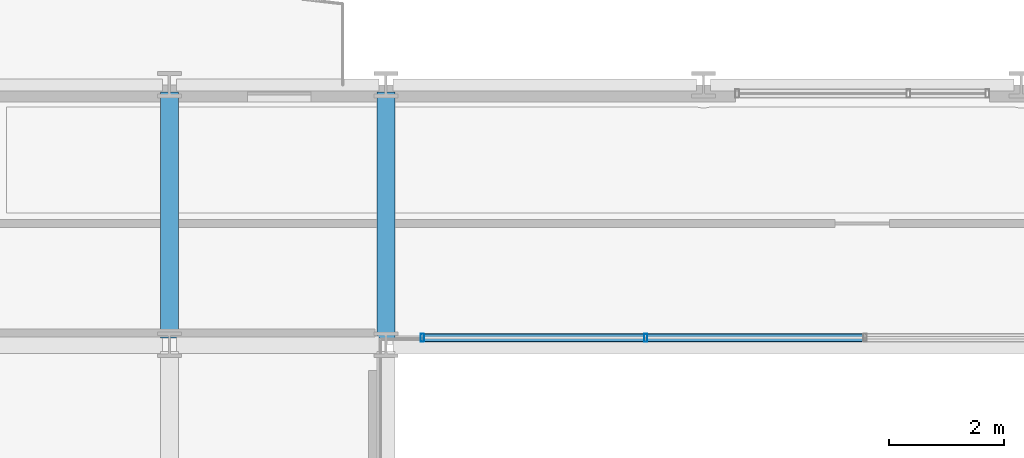
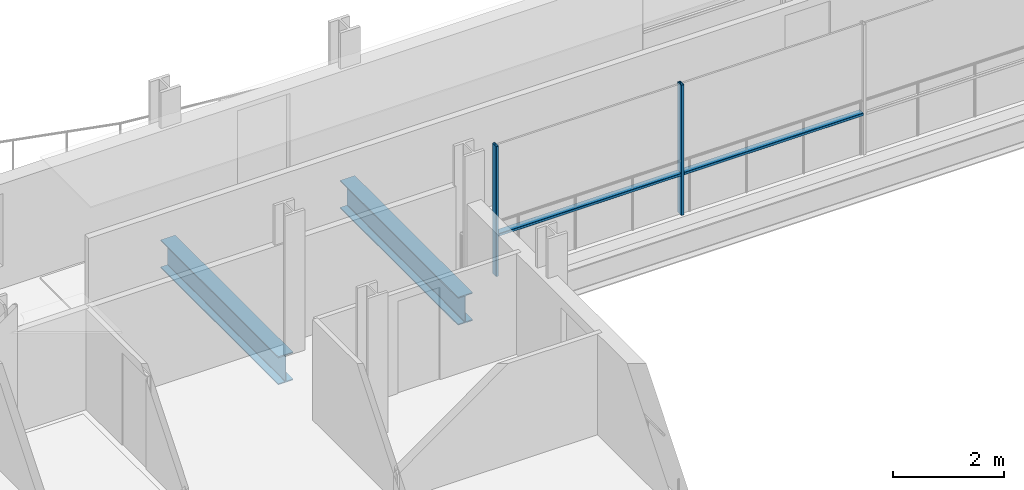
# One storey, part 9 of 40: 4 members, 2 beams, 1 element without a shape of its own.
"""IFC4 building model written with IfcOpenShell, lengths in metres."""

from ifc_helpers import new_model, si_unit, direction, frame, origin, origin_2d, place, context, subcontext, project, spatial, hollow_rectangle, i_section, extrude, material, layer, layer_set, material_profile, profile_set, type_object, element, aggregate, save


model = new_model("IFC4")

# Units and contexts
model_context = context("Model", 3, precision=1e-05, world=origin(), true_north=direction((0.0, 1.0)))
body_context = subcontext(model_context, "Body", "Model", "MODEL_VIEW")
ifc_project = project(units=[si_unit("LENGTHUNIT", "METRE"), si_unit("AREAUNIT", "SQUARE_METRE"), si_unit("VOLUMEUNIT", "CUBIC_METRE"), si_unit("PLANEANGLEUNIT", "RADIAN"), si_unit("MASSUNIT", "GRAM", prefix="KILO")], contexts=[model_context])

# Site, building, storey
site_placement = place(None, origin())
site = spatial("IfcSite", under=ifc_project, at=site_placement, CompositionType="ELEMENT")
building_placement = place(site_placement, origin())
building = spatial("IfcBuilding", under=site, at=building_placement, Name="Brevholm Reach", CompositionType="ELEMENT")
storey_placement = place(building_placement, frame((0.0, 0.0, 62.10009765625)))
storey = spatial("IfcBuildingStorey", under=building, at=storey_placement, Name="L17", CompositionType="ELEMENT", Elevation=62.10009765625)

# Beams
ifc_material_1 = material(Name="Structural Steel S355J2", Category="steel")
ifc_material_profile_1 = material_profile(ifc_material_1, i_section(OverallWidth=0.30712890625, OverallDepth=0.6201171875, WebThickness=0.01416015625, FlangeThickness=0.023681640625, FilletRadius=0.0166015625, at=origin_2d()), Name="UKB 610x305x179")
ifc_profile_set_1 = profile_set([ifc_material_profile_1], Name="Structural Steel S355J2")
beam_type = type_object("IfcBeamType", Name="BM-UKB610H", PredefinedType="USERDEFINED", material=ifc_profile_set_1)
for number, where, z_axis, x_axis, name in (
    (1, (18.0, 26.6201171875, -0.540283203125), (0.0, 1.0, 0.0), (-1.0, 0.0, 0.0), "L17 G-06 Framing Beam"),
    (2, (21.75, 26.6201171875, -0.540283203125), (0.0, 1.0, 0.0), (-1.0, 0.0, 0.0), "L17 G-06 Framing Beam"),
):
    element("IfcBeam", number, at=place(storey_placement, frame(where, z_axis=z_axis, x_axis=x_axis)), inside=storey, type_object=beam_type, Name=name, ObjectType="GIRDER", PredefinedType="USERDEFINED", context=body_context, shape_type="SweptSolid", body=[
        extrude(i_section(OverallWidth=0.30712890625, OverallDepth=0.6201171875, WebThickness=0.01416015625, FlangeThickness=0.023681640625, FilletRadius=0.0166015625, at=origin_2d()), origin(), (0.0, 0.0, 1.0), 4.259765625),
    ])

# Curtain wall, members
ifc_material_2 = material(Name="Dark Anodised Aluminium 6063-T6 and Solar-Control Glass", Category="aluminium")
ifc_layer = layer(ifc_material_2, 0.139892578125)
ifc_layer_set = layer_set([ifc_layer], Name="Dark Anodised Aluminium 6063-T6 and Solar-Control Glass")
curtain_wall_type = type_object("IfcCurtainWallType", Name="CW-02", PredefinedType="NOTDEFINED", material=ifc_layer_set)
curtain_wall_placement = place(storey_placement, origin())
curtain_wall = element("IfcCurtainWall", 3, at=curtain_wall_placement, inside=storey, type_object=curtain_wall_type, Name="L17 Curtain Wall CW-02", PredefinedType="NOTDEFINED")
ifc_material_3 = material(Name="Dark Anodised Aluminium 6063-T6", Category="aluminium")
ifc_material_profile_2 = material_profile(ifc_material_3, hollow_rectangle(XDim=0.06005859375, YDim=0.139892578125, WallThickness=0.0048828125, InnerFilletRadius=0.0048828125, OuterFilletRadius=0.010009765625, at=origin_2d()), Name="RHS 140x60x5")
ifc_profile_set_2 = profile_set([ifc_material_profile_2], Name="Dark Anodised Aluminium 6063-T6")
member_type_1 = type_object("IfcMemberType", Name="CWM-140", PredefinedType="MULLION", material=ifc_profile_set_2)
member_1_placement = place(storey_placement, frame((26.25, 26.6201171875, 0.0), z_axis=(0.0, 0.0, 1.0), x_axis=(-1.0, 0.0, 0.0)))
member_1 = element("IfcMember", 4, at=member_1_placement, type_object=member_type_1, Name="CM-140 Mullion 4", PredefinedType="MULLION", context=body_context, shape_type="SweptSolid", body=[
    extrude(hollow_rectangle(XDim=0.06005859375, YDim=0.139892578125, WallThickness=0.0048828125, InnerFilletRadius=0.0048828125, OuterFilletRadius=0.010009765625, at=origin_2d()), origin(), (0.0, 0.0, 1.0), 2.869873046875),
])
member_2_placement = place(storey_placement, frame((22.3798828125, 26.6201171875, 0.0), z_axis=(0.0, 0.0, 1.0), x_axis=(-1.0, 0.0, 0.0)))
member_2 = element("IfcMember", 5, at=member_2_placement, type_object=member_type_1, Name="CM-140 Mullion 5", PredefinedType="MULLION", context=body_context, shape_type="SweptSolid", body=[
    extrude(hollow_rectangle(XDim=0.06005859375, YDim=0.139892578125, WallThickness=0.0048828125, InnerFilletRadius=0.0048828125, OuterFilletRadius=0.010009765625, at=origin_2d()), origin(), (0.0, 0.0, 1.0), 2.869873046875),
])
ifc_material_4 = material(Name="Dark Anodised Aluminium 6063-T6", Category="aluminium")
ifc_material_profile_3 = material_profile(ifc_material_4, hollow_rectangle(XDim=0.06005859375, YDim=0.139892578125, WallThickness=0.0048828125, InnerFilletRadius=0.0048828125, OuterFilletRadius=0.010009765625, at=origin_2d()), Name="RHS 140x60x5")
ifc_profile_set_3 = profile_set([ifc_material_profile_3], Name="Dark Anodised Aluminium 6063-T6")
member_type_2 = type_object("IfcMemberType", Name="CWT-140", PredefinedType="NOTDEFINED", material=ifc_profile_set_3)
member_3_placement = place(storey_placement, frame((30.02001953125, 26.6201171875, 0.89990234375), z_axis=(-1.0, 0.0, 0.0), x_axis=(0.0, 0.0, 1.0)))
member_3 = element("IfcMember", 6, at=member_3_placement, type_object=member_type_2, Name="CT-140 Transom 3.1", ObjectType="TRANSOM", PredefinedType="USERDEFINED", context=body_context, shape_type="SweptSolid", body=[
    extrude(hollow_rectangle(XDim=0.06005859375, YDim=0.139892578125, WallThickness=0.0048828125, InnerFilletRadius=0.0048828125, OuterFilletRadius=0.010009765625, at=origin_2d()), origin(), (0.0, 0.0, 1.0), 3.739990234375),
])
member_4_placement = place(storey_placement, frame((26.219970703125, 26.6201171875, 0.89990234375), z_axis=(-1.0, 0.0, 0.0), x_axis=(0.0, 0.0, 1.0)))
member_4 = element("IfcMember", 7, at=member_4_placement, type_object=member_type_2, Name="CT-140 Transom 4.1", ObjectType="TRANSOM", PredefinedType="USERDEFINED", context=body_context, shape_type="SweptSolid", body=[
    extrude(hollow_rectangle(XDim=0.06005859375, YDim=0.139892578125, WallThickness=0.0048828125, InnerFilletRadius=0.0048828125, OuterFilletRadius=0.010009765625, at=origin_2d()), origin(), (0.0, 0.0, 1.0), 3.81005859375),
])
aggregate(curtain_wall, [member_1, member_2, member_3, member_4])

save(model, "model.ifc")
